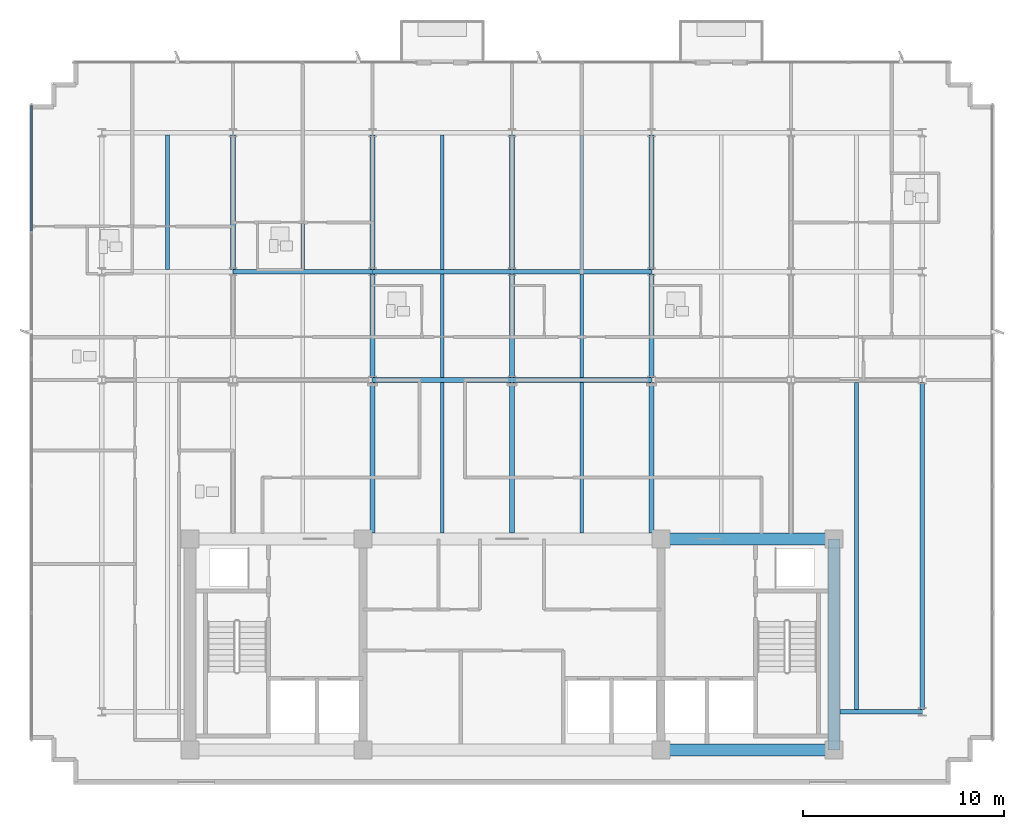
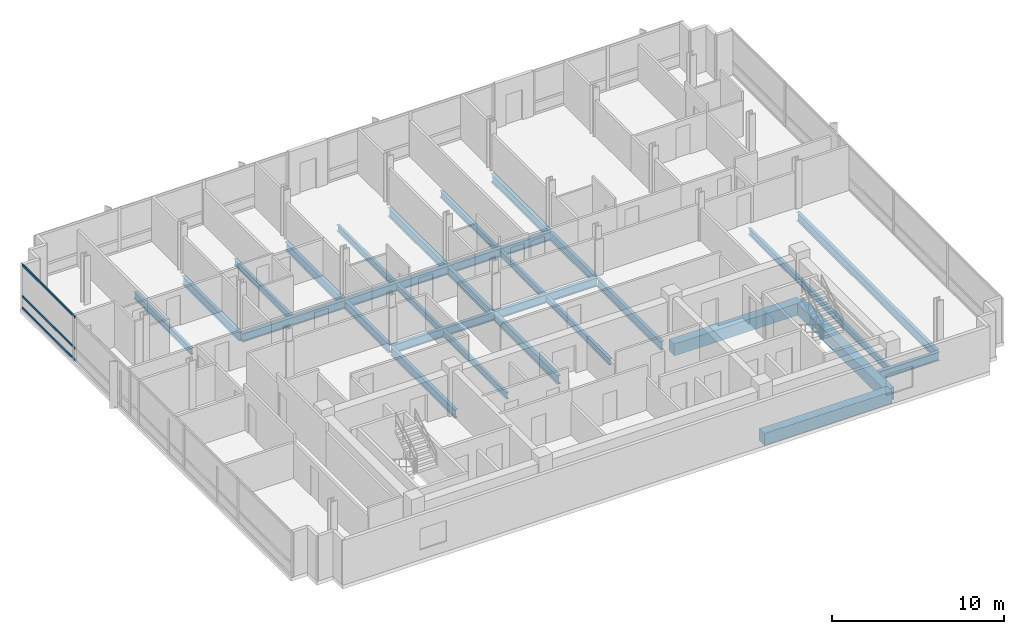
# One storey, part 3 of 14: 29 beams, 3 members, 1 element without a shape of its own.
"""IFC4 building model written with IfcOpenShell, lengths in metres."""

from ifc_helpers import new_model, si_unit, direction, frame, origin, origin_2d, place, context, subcontext, project, spatial, rectangle, i_section, extrude, material, material_profile, profile_set, type_object, element, aggregate, save


model = new_model("IFC4")

# Units and contexts
model_context = context("Model", 3, precision=1e-05, world=origin(), true_north=direction((0.0, 1.0)))
body_context = subcontext(model_context, "Body", "Model", "MODEL_VIEW")
ifc_project = project(units=[si_unit("LENGTHUNIT", "METRE"), si_unit("AREAUNIT", "SQUARE_METRE"), si_unit("VOLUMEUNIT", "CUBIC_METRE"), si_unit("PLANEANGLEUNIT", "RADIAN"), si_unit("MASSUNIT", "GRAM", prefix="KILO")], contexts=[model_context])

# Site, building, storey
site_placement = place(None, origin())
site = spatial("IfcSite", under=ifc_project, at=site_placement, CompositionType="ELEMENT")
building_placement = place(site_placement, origin())
building = spatial("IfcBuilding", under=site, at=building_placement, Name="Solmavex Isthmus Hotel", CompositionType="ELEMENT")
storey_placement = place(building_placement, frame((0.0, 0.0, 252.300048828125)))
storey = spatial("IfcBuildingStorey", under=building, at=storey_placement, Name="L68", CompositionType="ELEMENT", Elevation=252.300048828125)

# Beams
ifc_material_1 = material(Name="Steel ASTM A992 Grade 50", Category="steel")
ifc_material_profile_1 = material_profile(ifc_material_1, i_section(OverallWidth=0.1904296875, OverallDepth=0.456787109375, WebThickness=0.009033203125, FlangeThickness=0.014404296875, FilletRadius=0.0126953125, at=origin_2d()), Name="W18X50")
ifc_profile_set_1 = profile_set([ifc_material_profile_1], Name="Steel ASTM A992 Grade 50")
beam_type_1 = type_object("IfcBeamType", Name="BM-BJ-W18X50", PredefinedType="JOIST", material=ifc_profile_set_1)
for number, where, z_axis, x_axis, name in (
    (1, (-17.135986328125, 10.90185546875, -0.488525390625), (0.0, 1.0, 0.0), (-1.0, 0.0, 0.0), "Secondary Floor Joist L68-J03"),
    (2, (-10.404052734375, 10.90185546875, -0.488525390625), (0.0, 1.0, 0.0), (-1.0, 0.0, 0.0), "Secondary Floor Joist L68-J06"),
):
    element("IfcBeam", number, at=place(storey_placement, frame(where, z_axis=z_axis, x_axis=x_axis)), inside=storey, type_object=beam_type_1, Name=name, PredefinedType="JOIST", context=body_context, shape_type="SweptSolid", body=[
        extrude(i_section(OverallWidth=0.1904296875, OverallDepth=0.456787109375, WebThickness=0.009033203125, FlangeThickness=0.014404296875, FilletRadius=0.0126953125, at=origin_2d()), origin(), (0.0, 0.0, 1.0), 6.682861328125),
    ])
beam_1_placement = place(storey_placement, frame((-3.468017578125, -2.199951171875, -0.488525390625), z_axis=(0.0, 1.0, 0.0), x_axis=(-1.0, 0.0, 0.0)))
element("IfcBeam", 3, at=beam_1_placement, inside=storey, type_object=beam_type_1, Name="Secondary Floor Joist L68-J07", PredefinedType="JOIST", context=body_context, shape_type="SweptSolid", body=[
    extrude(i_section(OverallWidth=0.1904296875, OverallDepth=0.456787109375, WebThickness=0.009033203125, FlangeThickness=0.014404296875, FilletRadius=0.0126953125, at=origin_2d()), origin(), (0.0, 0.0, 1.0), 7.486083984375),
])
beam_2_placement = place(storey_placement, frame((-3.468017578125, 5.513916015625, -0.488525390625), z_axis=(0.0, 1.0, 0.0), x_axis=(-1.0, 0.0, 0.0)))
element("IfcBeam", 4, at=beam_2_placement, inside=storey, type_object=beam_type_1, Name="Secondary Floor Joist L68-J08", PredefinedType="JOIST", context=body_context, shape_type="SweptSolid", body=[
    extrude(i_section(OverallWidth=0.1904296875, OverallDepth=0.456787109375, WebThickness=0.009033203125, FlangeThickness=0.014404296875, FilletRadius=0.0126953125, at=origin_2d()), origin(), (0.0, 0.0, 1.0), 5.16015625),
])
beam_3_placement = place(storey_placement, frame((-3.468017578125, 10.90185546875, -0.488525390625), z_axis=(0.0, 1.0, 0.0), x_axis=(-1.0, 0.0, 0.0)))
element("IfcBeam", 5, at=beam_3_placement, inside=storey, type_object=beam_type_1, Name="Secondary Floor Joist L68-J09", PredefinedType="JOIST", context=body_context, shape_type="SweptSolid", body=[
    extrude(i_section(OverallWidth=0.1904296875, OverallDepth=0.456787109375, WebThickness=0.009033203125, FlangeThickness=0.014404296875, FilletRadius=0.0126953125, at=origin_2d()), origin(), (0.0, 0.0, 1.0), 6.682861328125),
])
beam_4_placement = place(storey_placement, frame((3.468017578125, -2.199951171875, -0.488525390625), z_axis=(0.0, 1.0, 0.0), x_axis=(-1.0, 0.0, 0.0)))
element("IfcBeam", 6, at=beam_4_placement, inside=storey, type_object=beam_type_1, Name="Secondary Floor Joist L68-J10", PredefinedType="JOIST", context=body_context, shape_type="SweptSolid", body=[
    extrude(i_section(OverallWidth=0.1904296875, OverallDepth=0.456787109375, WebThickness=0.009033203125, FlangeThickness=0.014404296875, FilletRadius=0.0126953125, at=origin_2d()), origin(), (0.0, 0.0, 1.0), 7.486083984375),
])
beam_5_placement = place(storey_placement, frame((3.468017578125, 5.513916015625, -0.488525390625), z_axis=(0.0, 1.0, 0.0), x_axis=(-1.0, 0.0, 0.0)))
element("IfcBeam", 7, at=beam_5_placement, inside=storey, type_object=beam_type_1, Name="Secondary Floor Joist L68-J11", PredefinedType="JOIST", context=body_context, shape_type="SweptSolid", body=[
    extrude(i_section(OverallWidth=0.1904296875, OverallDepth=0.456787109375, WebThickness=0.009033203125, FlangeThickness=0.014404296875, FilletRadius=0.0126953125, at=origin_2d()), origin(), (0.0, 0.0, 1.0), 5.16015625),
])
beam_6_placement = place(storey_placement, frame((3.468017578125, 10.90185546875, -0.488525390625), z_axis=(0.0, 1.0, 0.0), x_axis=(-1.0, 0.0, 0.0)))
element("IfcBeam", 8, at=beam_6_placement, inside=storey, type_object=beam_type_1, Name="Secondary Floor Joist L68-J12", PredefinedType="JOIST", context=body_context, shape_type="SweptSolid", body=[
    extrude(i_section(OverallWidth=0.1904296875, OverallDepth=0.456787109375, WebThickness=0.009033203125, FlangeThickness=0.014404296875, FilletRadius=0.0126953125, at=origin_2d()), origin(), (0.0, 0.0, 1.0), 6.682861328125),
])
beam_7_placement = place(storey_placement, frame((17.135986328125, -10.98486328125, -0.488525390625), z_axis=(0.0, 1.0, 0.0), x_axis=(-1.0, 0.0, 0.0)))
element("IfcBeam", 9, at=beam_7_placement, inside=storey, type_object=beam_type_1, Name="Secondary Floor Joist L68-J16", PredefinedType="JOIST", context=body_context, shape_type="SweptSolid", body=[
    extrude(i_section(OverallWidth=0.1904296875, OverallDepth=0.456787109375, WebThickness=0.009033203125, FlangeThickness=0.014404296875, FilletRadius=0.0126953125, at=origin_2d()), origin(), (0.0, 0.0, 1.0), 16.27099609375),
])
ifc_material_profile_2 = material_profile(ifc_material_1, i_section(OverallWidth=0.227783203125, OverallDepth=0.602783203125, WebThickness=0.010498046875, FlangeThickness=0.014892578125, FilletRadius=0.01513671875, at=origin_2d()), Name="W24X68")
ifc_profile_set_2 = profile_set([ifc_material_profile_2], Name="Steel ASTM A992 Grade 50")
beam_type_2 = type_object("IfcBeamType", Name="BM-BM-W24X68", PredefinedType="BEAM", material=ifc_profile_set_2)
for number, where, z_axis, x_axis, name in (
    (10, (-6.93603515625, 5.39990234375, -0.561279296875), (1.0, 0.0, 0.0), (0.0, 1.0, 0.0), "Floor Girder L68-UG05"),
    (11, (0.0, 5.39990234375, -0.561279296875), (1.0, 0.0, 0.0), (0.0, 1.0, 0.0), "Floor Girder L68-UG06"),
    (12, (-13.8720703125, 10.7880859375, -0.561279296875), (1.0, 0.0, 0.0), (0.0, 1.0, 0.0), "Floor Girder L68-UG10"),
    (13, (-6.93603515625, 10.7880859375, -0.561279296875), (1.0, 0.0, 0.0), (0.0, 1.0, 0.0), "Floor Girder L68-UG11"),
    (14, (0.0, 10.7880859375, -0.561279296875), (1.0, 0.0, 0.0), (0.0, 1.0, 0.0), "Floor Girder L68-UG12"),
):
    element("IfcBeam", number, at=place(storey_placement, frame(where, z_axis=z_axis, x_axis=x_axis)), inside=storey, type_object=beam_type_2, Name=name, PredefinedType="BEAM", context=body_context, shape_type="SweptSolid", body=[
        extrude(i_section(OverallWidth=0.227783203125, OverallDepth=0.602783203125, WebThickness=0.010498046875, FlangeThickness=0.014892578125, FilletRadius=0.01513671875, at=origin_2d()), origin(), (0.0, 0.0, 1.0), 6.93603515625),
    ])
beam_8_placement = place(storey_placement, frame((-13.8720703125, 10.90185546875, -0.561279296875), z_axis=(0.0, 1.0, 0.0), x_axis=(-1.0, 0.0, 0.0)))
element("IfcBeam", 15, at=beam_8_placement, inside=storey, type_object=beam_type_2, Name="Floor Beam L68-VG26", PredefinedType="BEAM", context=body_context, shape_type="SweptSolid", body=[
    extrude(i_section(OverallWidth=0.227783203125, OverallDepth=0.602783203125, WebThickness=0.010498046875, FlangeThickness=0.014892578125, FilletRadius=0.01513671875, at=origin_2d()), origin(), (0.0, 0.0, 1.0), 6.682861328125),
])
beam_9_placement = place(storey_placement, frame((-6.93603515625, -2.199951171875, -0.561279296875), z_axis=(0.0, 1.0, 0.0), x_axis=(-1.0, 0.0, 0.0)))
element("IfcBeam", 16, at=beam_9_placement, inside=storey, type_object=beam_type_2, Name="Floor Beam L68-VG27", PredefinedType="BEAM", context=body_context, shape_type="SweptSolid", body=[
    extrude(i_section(OverallWidth=0.227783203125, OverallDepth=0.602783203125, WebThickness=0.010498046875, FlangeThickness=0.014892578125, FilletRadius=0.01513671875, at=origin_2d()), origin(), (0.0, 0.0, 1.0), 7.486083984375),
])
beam_10_placement = place(storey_placement, frame((-6.93603515625, 5.513916015625, -0.561279296875), z_axis=(0.0, 1.0, 0.0), x_axis=(-1.0, 0.0, 0.0)))
element("IfcBeam", 17, at=beam_10_placement, inside=storey, type_object=beam_type_2, Name="Floor Beam L68-VG28", PredefinedType="BEAM", context=body_context, shape_type="SweptSolid", body=[
    extrude(i_section(OverallWidth=0.227783203125, OverallDepth=0.602783203125, WebThickness=0.010498046875, FlangeThickness=0.014892578125, FilletRadius=0.01513671875, at=origin_2d()), origin(), (0.0, 0.0, 1.0), 5.16015625),
])
beam_11_placement = place(storey_placement, frame((-6.93603515625, 10.90185546875, -0.561279296875), z_axis=(0.0, 1.0, 0.0), x_axis=(-1.0, 0.0, 0.0)))
element("IfcBeam", 18, at=beam_11_placement, inside=storey, type_object=beam_type_2, Name="Floor Beam L68-VG29", PredefinedType="BEAM", context=body_context, shape_type="SweptSolid", body=[
    extrude(i_section(OverallWidth=0.227783203125, OverallDepth=0.602783203125, WebThickness=0.010498046875, FlangeThickness=0.014892578125, FilletRadius=0.01513671875, at=origin_2d()), origin(), (0.0, 0.0, 1.0), 6.682861328125),
])
beam_12_placement = place(storey_placement, frame((0.0, -2.199951171875, -0.561279296875), z_axis=(0.0, 1.0, 0.0), x_axis=(-1.0, 0.0, 0.0)))
element("IfcBeam", 19, at=beam_12_placement, inside=storey, type_object=beam_type_2, Name="Floor Beam L68-VG30", PredefinedType="BEAM", context=body_context, shape_type="SweptSolid", body=[
    extrude(i_section(OverallWidth=0.227783203125, OverallDepth=0.602783203125, WebThickness=0.010498046875, FlangeThickness=0.014892578125, FilletRadius=0.01513671875, at=origin_2d()), origin(), (0.0, 0.0, 1.0), 7.486083984375),
])
beam_13_placement = place(storey_placement, frame((0.0, 5.513916015625, -0.561279296875), z_axis=(0.0, 1.0, 0.0), x_axis=(-1.0, 0.0, 0.0)))
element("IfcBeam", 20, at=beam_13_placement, inside=storey, type_object=beam_type_2, Name="Floor Beam L68-VG31", PredefinedType="BEAM", context=body_context, shape_type="SweptSolid", body=[
    extrude(i_section(OverallWidth=0.227783203125, OverallDepth=0.602783203125, WebThickness=0.010498046875, FlangeThickness=0.014892578125, FilletRadius=0.01513671875, at=origin_2d()), origin(), (0.0, 0.0, 1.0), 5.16015625),
])
beam_14_placement = place(storey_placement, frame((0.0, 10.90185546875, -0.561279296875), z_axis=(0.0, 1.0, 0.0), x_axis=(-1.0, 0.0, 0.0)))
element("IfcBeam", 21, at=beam_14_placement, inside=storey, type_object=beam_type_2, Name="Floor Beam L68-VG32", PredefinedType="BEAM", context=body_context, shape_type="SweptSolid", body=[
    extrude(i_section(OverallWidth=0.227783203125, OverallDepth=0.602783203125, WebThickness=0.010498046875, FlangeThickness=0.014892578125, FilletRadius=0.01513671875, at=origin_2d()), origin(), (0.0, 0.0, 1.0), 6.682861328125),
])
beam_15_placement = place(storey_placement, frame((6.93603515625, -2.199951171875, -0.561279296875), z_axis=(0.0, 1.0, 0.0), x_axis=(-1.0, 0.0, 0.0)))
element("IfcBeam", 22, at=beam_15_placement, inside=storey, type_object=beam_type_2, Name="Floor Beam L68-VG33", PredefinedType="BEAM", context=body_context, shape_type="SweptSolid", body=[
    extrude(i_section(OverallWidth=0.227783203125, OverallDepth=0.602783203125, WebThickness=0.010498046875, FlangeThickness=0.014892578125, FilletRadius=0.01513671875, at=origin_2d()), origin(), (0.0, 0.0, 1.0), 7.486083984375),
])
beam_16_placement = place(storey_placement, frame((6.93603515625, 5.513916015625, -0.561279296875), z_axis=(0.0, 1.0, 0.0), x_axis=(-1.0, 0.0, 0.0)))
element("IfcBeam", 23, at=beam_16_placement, inside=storey, type_object=beam_type_2, Name="Floor Beam L68-VG34", PredefinedType="BEAM", context=body_context, shape_type="SweptSolid", body=[
    extrude(i_section(OverallWidth=0.227783203125, OverallDepth=0.602783203125, WebThickness=0.010498046875, FlangeThickness=0.014892578125, FilletRadius=0.01513671875, at=origin_2d()), origin(), (0.0, 0.0, 1.0), 5.16015625),
])
beam_17_placement = place(storey_placement, frame((6.93603515625, 10.90185546875, -0.561279296875), z_axis=(0.0, 1.0, 0.0), x_axis=(-1.0, 0.0, 0.0)))
element("IfcBeam", 24, at=beam_17_placement, inside=storey, type_object=beam_type_2, Name="Floor Beam L68-VG35", PredefinedType="BEAM", context=body_context, shape_type="SweptSolid", body=[
    extrude(i_section(OverallWidth=0.227783203125, OverallDepth=0.602783203125, WebThickness=0.010498046875, FlangeThickness=0.014892578125, FilletRadius=0.01513671875, at=origin_2d()), origin(), (0.0, 0.0, 1.0), 6.682861328125),
])
ifc_material_2 = material(Name="Concrete C50/60", Category="concrete")
ifc_material_profile_3 = material_profile(ifc_material_2, rectangle(XDim=0.60009765625, YDim=0.85009765625, at=origin_2d()), Name="RC600X850")
ifc_profile_set_3 = profile_set([ifc_material_profile_3], Name="Concrete C50/60")
beam_type_3 = type_object("IfcBeamType", Name="BM-CB-600X850", PredefinedType="BEAM", material=ifc_profile_set_3)
for number, where, z_axis, x_axis, name in (
    (25, (7.39990234375, -13.0, -0.68505859375), (1.0, 0.0, 0.0), (0.0, 1.0, 0.0), "Core Coupling Beam L68-CB3"),
    (26, (7.39990234375, -2.5, -0.68505859375), (1.0, 0.0, 0.0), (0.0, 1.0, 0.0), "Core Coupling Beam L68-CB6"),
):
    element("IfcBeam", number, at=place(storey_placement, frame(where, z_axis=z_axis, x_axis=x_axis)), inside=storey, type_object=beam_type_3, Name=name, PredefinedType="BEAM", context=body_context, shape_type="SweptSolid", body=[
        extrude(rectangle(XDim=0.60009765625, YDim=0.85009765625, at=origin_2d()), origin(), (0.0, 0.0, 1.0), 8.60009765625),
    ])
beam_18_placement = place(storey_placement, frame((16.0, -13.0, -0.68505859375), z_axis=(0.0, 1.0, 0.0), x_axis=(-1.0, 0.0, 0.0)))
element("IfcBeam", 27, at=beam_18_placement, inside=storey, type_object=beam_type_3, Name="Core Coupling Beam L68-CB8", PredefinedType="BEAM", context=body_context, shape_type="SweptSolid", body=[
    extrude(rectangle(XDim=0.60009765625, YDim=0.85009765625, at=origin_2d()), origin(), (0.0, 0.0, 1.0), 10.5),
])
ifc_material_profile_4 = material_profile(ifc_material_1, i_section(OverallWidth=0.230224609375, OverallDepth=0.617431640625, WebThickness=0.01318359375, FlangeThickness=0.022216796875, FilletRadius=0.01513671875, at=origin_2d()), Name="W24X94")
ifc_profile_set_4 = profile_set([ifc_material_profile_4], Name="Steel ASTM A992 Grade 50")
beam_type_4 = type_object("IfcBeamType", Name="BM-SP-W24X94", PredefinedType="SPANDREL", material=ifc_profile_set_4)
beam_19_placement = place(storey_placement, frame((16.300048828125, -11.10009765625, -0.56884765625), z_axis=(1.0, 0.0, 0.0), x_axis=(0.0, 1.0, 0.0)))
element("IfcBeam", 28, at=beam_19_placement, inside=storey, type_object=beam_type_4, Name="Floor Girder L68-UG02", PredefinedType="SPANDREL", context=body_context, shape_type="SweptSolid", body=[
    extrude(i_section(OverallWidth=0.230224609375, OverallDepth=0.617431640625, WebThickness=0.01318359375, FlangeThickness=0.022216796875, FilletRadius=0.01513671875, at=origin_2d()), origin(), (0.0, 0.0, 1.0), 4.099853515625),
])
beam_20_placement = place(storey_placement, frame((20.39990234375, -10.98486328125, -0.56884765625), z_axis=(0.0, 1.0, 0.0), x_axis=(-1.0, 0.0, 0.0)))
element("IfcBeam", 29, at=beam_20_placement, inside=storey, type_object=beam_type_4, Name="Floor Beam L68-VG39", PredefinedType="SPANDREL", context=body_context, shape_type="SweptSolid", body=[
    extrude(i_section(OverallWidth=0.230224609375, OverallDepth=0.617431640625, WebThickness=0.01318359375, FlangeThickness=0.022216796875, FilletRadius=0.01513671875, at=origin_2d()), origin(), (0.0, 0.0, 1.0), 16.27099609375),
])

# Curtain wall, members
ifc_material_3 = material(Name="Aluminium alloy 6063-T6", Category="aluminium")
curtain_wall_type = type_object("IfcCurtainWallType", Name="CW-SYS-04", PredefinedType="NOTDEFINED", material=ifc_material_3)
curtain_wall_placement = place(storey_placement, origin())
curtain_wall = element("IfcCurtainWall", 30, at=curtain_wall_placement, inside=storey, type_object=curtain_wall_type, Name="Stick Curtain Wall CWL-L68-W1", PredefinedType="NOTDEFINED")
ifc_material_profile_5 = material_profile(ifc_material_3, rectangle(XDim=0.074951171875, YDim=0.14990234375, at=origin_2d()), Name="CWT-75X150")
ifc_profile_set_5 = profile_set([ifc_material_profile_5], Name="Aluminium alloy 6063-T6")
member_type = type_object("IfcMemberType", Name="CW-SYS-04-TRN", PredefinedType="USERDEFINED", material=ifc_profile_set_5)
member_1_placement = place(storey_placement, frame((-23.8798828125, 12.8173828125, 0.074951171875), z_axis=(0.0, 1.0, 0.0), x_axis=(-1.0, 0.0, 0.0)))
member_1 = element("IfcMember", 31, at=member_1_placement, type_object=member_type, Name="CW-04 transom 5.1", ObjectType="TRANSOM", PredefinedType="USERDEFINED", context=body_context, shape_type="SweptSolid", body=[
    extrude(rectangle(XDim=0.074951171875, YDim=0.14990234375, at=origin_2d()), origin(), (0.0, 0.0, 1.0), 6.20751953125),
])
member_2_placement = place(storey_placement, frame((-23.8798828125, 12.8173828125, 0.89990234375), z_axis=(0.0, 1.0, 0.0), x_axis=(-1.0, 0.0, 0.0)))
member_2 = element("IfcMember", 32, at=member_2_placement, type_object=member_type, Name="CW-04 transom 5.2", ObjectType="TRANSOM", PredefinedType="USERDEFINED", context=body_context, shape_type="SweptSolid", body=[
    extrude(rectangle(XDim=0.074951171875, YDim=0.14990234375, at=origin_2d()), origin(), (0.0, 0.0, 1.0), 6.20751953125),
])
member_3_placement = place(storey_placement, frame((-23.8798828125, 12.8173828125, 3.114990234375), z_axis=(0.0, 1.0, 0.0), x_axis=(-1.0, 0.0, 0.0)))
member_3 = element("IfcMember", 33, at=member_3_placement, type_object=member_type, Name="CW-04 transom 5.3", ObjectType="TRANSOM", PredefinedType="USERDEFINED", context=body_context, shape_type="SweptSolid", body=[
    extrude(rectangle(XDim=0.074951171875, YDim=0.14990234375, at=origin_2d()), origin(), (0.0, 0.0, 1.0), 6.20751953125),
])
aggregate(curtain_wall, [member_1, member_2, member_3])

save(model, "model.ifc")
